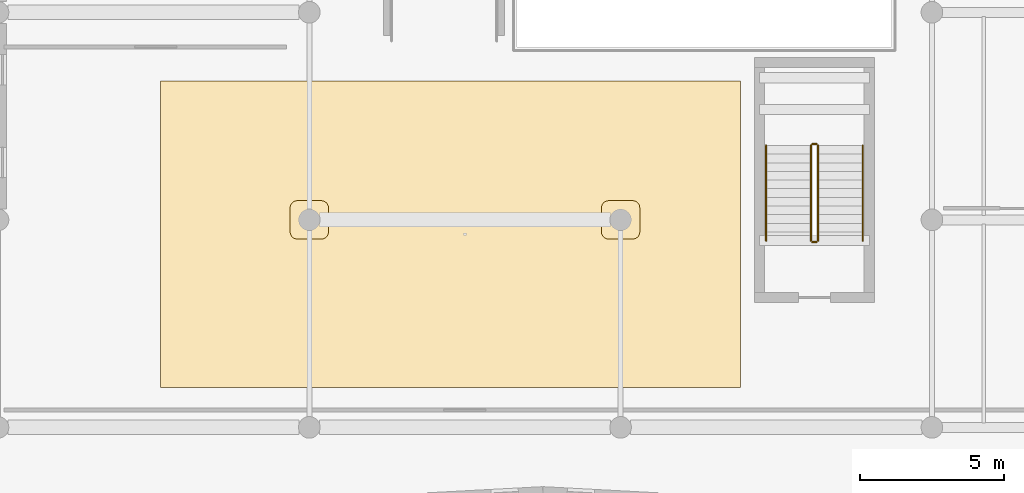
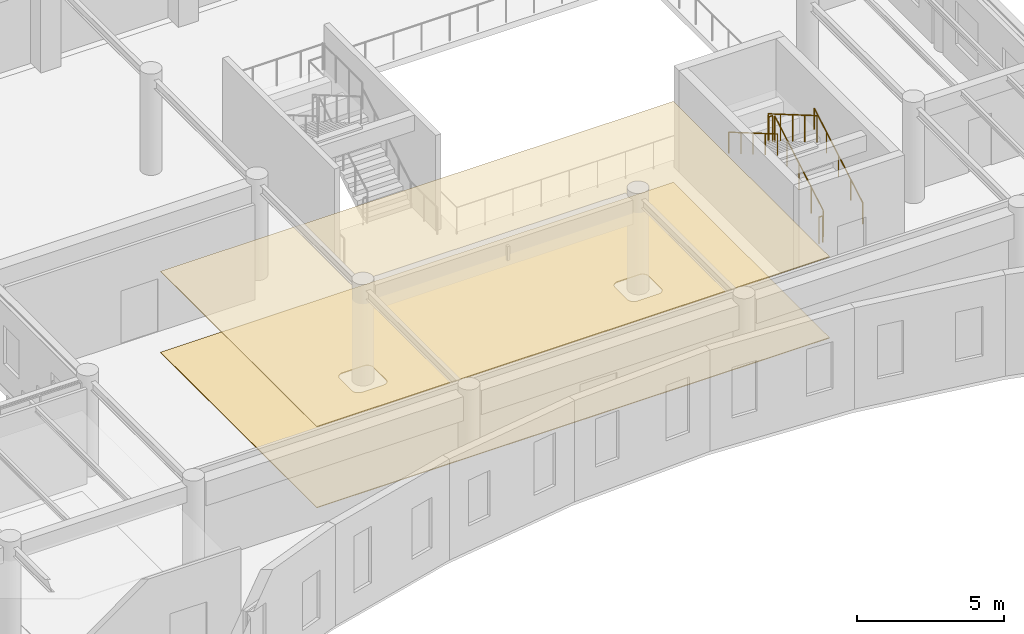
# One storey, part 109 of 122: 6 railings, 2 coverings.
"""IFC4 building model written with IfcOpenShell, lengths in metres."""

from ifc_helpers import new_model, si_unit, direction, frame, origin, origin_2d, place, context, subcontext, project, spatial, polyline, circle, outline, extrude, material, layer, layer_set, material_profile, profile_set, type_object, element, save


model = new_model("IFC4")

# Units and contexts
model_context = context("Model", 3, precision=1e-05, world=origin(), true_north=direction((0.0, 1.0)))
body_context = subcontext(model_context, "Body", "Model", "MODEL_VIEW")
ifc_project = project(units=[si_unit("LENGTHUNIT", "METRE"), si_unit("AREAUNIT", "SQUARE_METRE"), si_unit("VOLUMEUNIT", "CUBIC_METRE"), si_unit("PLANEANGLEUNIT", "RADIAN"), si_unit("MASSUNIT", "GRAM", prefix="KILO")], contexts=[model_context])

# Site, building, storey
site_placement = place(None, origin())
site = spatial("IfcSite", under=ifc_project, at=site_placement, CompositionType="ELEMENT")
building_placement = place(site_placement, origin())
building = spatial("IfcBuilding", under=site, at=building_placement, Name="Tazoul Stagehouse", CompositionType="ELEMENT")
storey_placement = place(building_placement, frame((0.0, 0.0, 4.800048828125)))
storey = spatial("IfcBuildingStorey", under=building, at=storey_placement, Name="L01", CompositionType="ELEMENT", Elevation=4.800048828125)

# Railings
ifc_material_1 = material(Name="Brushed Stainless Steel 316L", Category="steel")
ifc_material_profile_1 = material_profile(ifc_material_1, circle(Radius=0.02392578125, at=origin_2d()), Name="SS RAIL D48")
ifc_profile_set_1 = profile_set([ifc_material_profile_1], Name="Brushed Stainless Steel 316L")
railing_type_1 = type_object("IfcRailingType", Name="Architectural Guardrail H1120", PredefinedType="GUARDRAIL", material=ifc_profile_set_1)
railing_1_placement = place(storey_placement, frame((86.050048828125, 29.47998046875, 0.175048828125)))
element("IfcRailing", 1, at=railing_1_placement, inside=storey, type_object=railing_type_1, Name="L01 ST-08 stair guard 1", PredefinedType="GUARDRAIL", context=body_context, shape_type="SweptSolid", body=[
    extrude(circle(Radius=0.02392578125, at=origin_2d()), frame((0.0, 0.0, 1.09619140625), z_axis=(0.0, 0.863804395585, 0.503827317807), x_axis=(-1.0, 0.0, 0.0)), (0.0, 0.0, 1.0), 3.8203125),
    extrude(circle(Radius=0.02099609375, at=origin_2d()), origin(), (0.0, 0.0, 1.0), 1.072021484375),
    extrude(circle(Radius=0.02099609375, at=origin_2d()), frame((0.0, 0.824951171875, 0.481201171875)), (0.0, 0.0, 1.0), 1.072021484375),
    extrude(circle(Radius=0.02099609375, at=origin_2d()), frame((0.0, 1.64990234375, 0.96240234375)), (0.0, 0.0, 1.0), 1.072021484375),
    extrude(circle(Radius=0.02099609375, at=origin_2d()), frame((0.0, 2.47509765625, 1.443603515625)), (0.0, 0.0, 1.0), 1.072021484375),
    extrude(circle(Radius=0.02099609375, at=origin_2d()), frame((0.0, 3.300048828125, 1.9248046875)), (0.0, 0.0, 1.0), 1.072021484375),
])
railing_2_placement = place(storey_placement, frame((86.0, 32.830078125, 2.099853515625)))
element("IfcRailing", 2, at=railing_2_placement, inside=storey, type_object=railing_type_1, Name="L01 ST-08 stair guard 2", PredefinedType="GUARDRAIL", context=body_context, shape_type="SweptSolid", body=[
    extrude(circle(Radius=0.02392578125, at=origin_2d()), frame((0.0, 0.0, 1.09619140625), z_axis=(-1.0, 0.0, 0.0), x_axis=(0.0, -1.0, 0.0)), (0.0, 0.0, 1.0), 0.14990234375),
    extrude(circle(Radius=0.02099609375, at=origin_2d()), origin(), (0.0, 0.0, 1.0), 1.072021484375),
    extrude(circle(Radius=0.02099609375, at=origin_2d()), frame((-0.14990234375, 0.0, 0.0)), (0.0, 0.0, 1.0), 1.072021484375),
])
railing_3_placement = place(storey_placement, frame((85.800048828125, 32.780029296875, 2.27490234375)))
element("IfcRailing", 3, at=railing_3_placement, inside=storey, type_object=railing_type_1, Name="L01 ST-08 stair guard 3", PredefinedType="GUARDRAIL", context=body_context, shape_type="SweptSolid", body=[
    extrude(circle(Radius=0.02392578125, at=origin_2d()), frame((0.0, 0.0, 1.09619140625), z_axis=(0.0, -0.863776583165, 0.503874998761), x_axis=(1.0, 0.0, 0.0)), (0.0, 0.0, 1.0), 3.820556640625),
    extrude(circle(Radius=0.02099609375, at=origin_2d()), origin(), (0.0, 0.0, 1.0), 1.072021484375),
    extrude(circle(Radius=0.02099609375, at=origin_2d()), frame((0.0, -0.824951171875, 0.481201171875)), (0.0, 0.0, 1.0), 1.072021484375),
    extrude(circle(Radius=0.02099609375, at=origin_2d()), frame((0.0, -1.64990234375, 0.96240234375)), (0.0, 0.0, 1.0), 1.072021484375),
    extrude(circle(Radius=0.02099609375, at=origin_2d()), frame((0.0, -2.47509765625, 1.44384765625)), (0.0, 0.0, 1.0), 1.072021484375),
    extrude(circle(Radius=0.02099609375, at=origin_2d()), frame((0.0, -3.300048828125, 1.925048828125)), (0.0, 0.0, 1.0), 1.072021484375),
])
railing_4_placement = place(storey_placement, frame((86.0, 29.429931640625, 0.0)))
element("IfcRailing", 4, at=railing_4_placement, inside=storey, type_object=railing_type_1, Name="L01 ST-08 stair guard 4", PredefinedType="GUARDRAIL", context=body_context, shape_type="SweptSolid", body=[
    extrude(circle(Radius=0.02392578125, at=origin_2d()), frame((0.0, 0.0, 1.09619140625), z_axis=(-1.0, 0.0, 0.0), x_axis=(0.0, -1.0, 0.0)), (0.0, 0.0, 1.0), 0.14990234375),
    extrude(circle(Radius=0.02099609375, at=origin_2d()), origin(), (0.0, 0.0, 1.0), 1.072021484375),
    extrude(circle(Radius=0.02099609375, at=origin_2d()), frame((-0.14990234375, 0.0, 0.0)), (0.0, 0.0, 1.0), 1.072021484375),
])
ifc_material_profile_2 = material_profile(ifc_material_1, circle(Radius=0.02099609375, at=origin_2d()), Name="SS HANDRAIL D42")
ifc_profile_set_2 = profile_set([ifc_material_profile_2], Name="Brushed Stainless Steel 316L")
railing_type_2 = type_object("IfcRailingType", Name="Continuous Stair Handrail H900", PredefinedType="HANDRAIL", material=ifc_profile_set_2)
railing_5_placement = place(storey_placement, frame((87.60009765625, 29.47998046875, 0.175048828125)))
element("IfcRailing", 5, at=railing_5_placement, inside=storey, type_object=railing_type_2, Name="L01 ST-08 stair handrail 1", PredefinedType="HANDRAIL", context=body_context, shape_type="SweptSolid", body=[
    extrude(circle(Radius=0.02392578125, at=origin_2d()), frame((0.0, 0.0, 0.8759765625), z_axis=(0.0, 0.863804395585, 0.503827317807), x_axis=(-1.0, 0.0, 0.0)), (0.0, 0.0, 1.0), 3.8203125),
    extrude(circle(Radius=0.02099609375, at=origin_2d()), origin(), (0.0, 0.0, 1.0), 0.851806640625),
    extrude(circle(Radius=0.02099609375, at=origin_2d()), frame((0.0, 0.824951171875, 0.481201171875)), (0.0, 0.0, 1.0), 0.851806640625),
    extrude(circle(Radius=0.02099609375, at=origin_2d()), frame((0.0, 1.64990234375, 0.96240234375)), (0.0, 0.0, 1.0), 0.851806640625),
    extrude(circle(Radius=0.02099609375, at=origin_2d()), frame((0.0, 2.47509765625, 1.443603515625)), (0.0, 0.0, 1.0), 0.851806640625),
    extrude(circle(Radius=0.02099609375, at=origin_2d()), frame((0.0, 3.300048828125, 1.9248046875)), (0.0, 0.0, 1.0), 0.851806640625),
])
railing_6_placement = place(storey_placement, frame((84.25, 32.780029296875, 2.27490234375)))
element("IfcRailing", 6, at=railing_6_placement, inside=storey, type_object=railing_type_2, Name="L01 ST-08 stair handrail 2", PredefinedType="HANDRAIL", context=body_context, shape_type="SweptSolid", body=[
    extrude(circle(Radius=0.02392578125, at=origin_2d()), frame((0.0, 0.0, 0.8759765625), z_axis=(0.0, -0.863776583165, 0.503874998761), x_axis=(1.0, 0.0, 0.0)), (0.0, 0.0, 1.0), 3.820556640625),
    extrude(circle(Radius=0.02099609375, at=origin_2d()), origin(), (0.0, 0.0, 1.0), 0.851806640625),
    extrude(circle(Radius=0.02099609375, at=origin_2d()), frame((0.0, -0.824951171875, 0.481201171875)), (0.0, 0.0, 1.0), 0.851806640625),
    extrude(circle(Radius=0.02099609375, at=origin_2d()), frame((0.0, -1.64990234375, 0.96240234375)), (0.0, 0.0, 1.0), 0.851806640625),
    extrude(circle(Radius=0.02099609375, at=origin_2d()), frame((0.0, -2.47509765625, 1.44384765625)), (0.0, 0.0, 1.0), 0.851806640625),
    extrude(circle(Radius=0.02099609375, at=origin_2d()), frame((0.0, -3.300048828125, 1.925048828125)), (0.0, 0.0, 1.0), 0.851806640625),
])

# Coverings
ifc_material_2 = material(Name="Gypsum Acoustic Partition", Category="gypsum")
ifc_layer_1 = layer(ifc_material_2, 0.034912109375, Name="Gypsum Acoustic Partition")
ifc_layer_set_1 = layer_set([ifc_layer_1], Name="Gypsum Acoustic Partition")
covering_type_1 = type_object("IfcCoveringType", Name="Gypsum Acoustic Foyer Suspended Ceiling 35", PredefinedType="CEILING", material=ifc_layer_set_1)
covering_1_placement = place(storey_placement, frame((0.0, 0.0, 3.35498046875)))
element("IfcCovering", 7, at=covering_1_placement, inside=storey, type_object=covering_type_1, Name="L01 L01 Dress Circle Foyer Circulation Suspended Ceiling", PredefinedType="CEILING", context=body_context, shape_type="SweptSolid", body=[
    extrude(outline(polyline([(83.360107421875, 35.010009765625), (83.360107421875, 24.389892578125), (63.239990234375, 24.389892578125), (63.239990234375, 35.010009765625), (83.360107421875, 35.010009765625)])), origin(), (0.0, 0.0, 1.0), 0.034912109375),
])
ifc_material_3 = material(Name="Honed Rabat Calcarenite Stone", Category="masonry")
ifc_layer_2 = layer(ifc_material_3, 0.030029296875, Name="Honed Rabat Calcarenite Stone")
ifc_layer_set_2 = layer_set([ifc_layer_2], Name="Honed Rabat Calcarenite Stone")
covering_type_2 = type_object("IfcCoveringType", Name="Honed Rabat Limestone Foyer Flooring 30", PredefinedType="FLOORING", material=ifc_layer_set_2)
covering_2_placement = place(storey_placement, origin())
element("IfcCovering", 8, at=covering_2_placement, inside=storey, type_object=covering_type_2, Name="L01 L01 Dress Circle Foyer Circulation Flooring", PredefinedType="FLOORING", context=body_context, shape_type="SweptSolid", body=[
    extrude(outline(polyline([(83.360107421875, 35.010009765625), (83.360107421875, 24.389892578125), (63.239990234375, 24.389892578125), (63.239990234375, 35.010009765625), (83.360107421875, 35.010009765625)]), holes=[polyline([(79.86376953125, 30.639404296875), (79.860107421875, 30.663818359375), (79.854248046875, 30.6875), (79.845947265625, 30.710693359375), (79.83544921875, 30.73291015625), (79.822998046875, 30.75390625), (79.808349609375, 30.773681640625), (79.791748046875, 30.791748046875), (79.773681640625, 30.808349609375), (79.75390625, 30.822998046875), (79.73291015625, 30.83544921875), (79.710693359375, 30.845947265625), (79.6875, 30.854248046875), (79.663818359375, 30.860107421875), (79.639404296875, 30.86376953125), (79.614990234375, 30.864990234375), (78.784912109375, 30.864990234375), (78.760498046875, 30.86376953125), (78.736083984375, 30.860107421875), (78.71240234375, 30.854248046875), (78.689208984375, 30.845947265625), (78.667236328125, 30.83544921875), (78.64599609375, 30.822998046875), (78.62646484375, 30.808349609375), (78.608154296875, 30.791748046875), (78.591796875, 30.773681640625), (78.5771484375, 30.75390625), (78.564453125, 30.73291015625), (78.553955078125, 30.710693359375), (78.5458984375, 30.6875), (78.539794921875, 30.663818359375), (78.5361328125, 30.639404296875), (78.534912109375, 30.614990234375), (78.534912109375, 29.784912109375), (78.5361328125, 29.760498046875), (78.539794921875, 29.736083984375), (78.5458984375, 29.71240234375), (78.553955078125, 29.689208984375), (78.564453125, 29.667236328125), (78.5771484375, 29.64599609375), (78.591796875, 29.62646484375), (78.608154296875, 29.608154296875), (78.62646484375, 29.591796875), (78.64599609375, 29.5771484375), (78.667236328125, 29.564453125), (78.689208984375, 29.553955078125), (78.71240234375, 29.5458984375), (78.736083984375, 29.539794921875), (78.760498046875, 29.5361328125), (78.784912109375, 29.534912109375), (79.614990234375, 29.534912109375), (79.639404296875, 29.5361328125), (79.663818359375, 29.539794921875), (79.6875, 29.5458984375), (79.710693359375, 29.553955078125), (79.73291015625, 29.564453125), (79.75390625, 29.5771484375), (79.773681640625, 29.591796875), (79.791748046875, 29.608154296875), (79.808349609375, 29.62646484375), (79.822998046875, 29.64599609375), (79.83544921875, 29.667236328125), (79.845947265625, 29.689208984375), (79.854248046875, 29.71240234375), (79.860107421875, 29.736083984375), (79.86376953125, 29.760498046875), (79.864990234375, 29.784912109375), (79.864990234375, 30.614990234375), (79.86376953125, 30.639404296875)]), polyline([(67.96044921875, 30.86376953125), (67.936279296875, 30.860107421875), (67.912353515625, 30.854248046875), (67.889404296875, 30.845947265625), (67.8671875, 30.83544921875), (67.84619140625, 30.822998046875), (67.826416015625, 30.808349609375), (67.80810546875, 30.791748046875), (67.791748046875, 30.773681640625), (67.777099609375, 30.75390625), (67.764404296875, 30.73291015625), (67.75390625, 30.710693359375), (67.745849609375, 30.6875), (67.73974609375, 30.663818359375), (67.736083984375, 30.639404296875), (67.735107421875, 30.614990234375), (67.735107421875, 29.784912109375), (67.736083984375, 29.760498046875), (67.73974609375, 29.736083984375), (67.745849609375, 29.71240234375), (67.75390625, 29.689208984375), (67.764404296875, 29.667236328125), (67.777099609375, 29.64599609375), (67.791748046875, 29.62646484375), (67.80810546875, 29.608154296875), (67.826416015625, 29.591796875), (67.84619140625, 29.5771484375), (67.8671875, 29.564453125), (67.889404296875, 29.553955078125), (67.912353515625, 29.5458984375), (67.936279296875, 29.539794921875), (67.96044921875, 29.5361328125), (67.985107421875, 29.534912109375), (68.81494140625, 29.534912109375), (68.839599609375, 29.5361328125), (68.86376953125, 29.539794921875), (68.8876953125, 29.5458984375), (68.91064453125, 29.553955078125), (68.932861328125, 29.564453125), (68.953857421875, 29.5771484375), (68.9736328125, 29.591796875), (68.99169921875, 29.608154296875), (69.00830078125, 29.62646484375), (69.02294921875, 29.64599609375), (69.035400390625, 29.667236328125), (69.0458984375, 29.689208984375), (69.05419921875, 29.71240234375), (69.060302734375, 29.736083984375), (69.063720703125, 29.760498046875), (69.06494140625, 29.784912109375), (69.06494140625, 30.614990234375), (69.063720703125, 30.639404296875), (69.060302734375, 30.663818359375), (69.05419921875, 30.6875), (69.0458984375, 30.710693359375), (69.035400390625, 30.73291015625), (69.02294921875, 30.75390625), (69.00830078125, 30.773681640625), (68.99169921875, 30.791748046875), (68.9736328125, 30.808349609375), (68.953857421875, 30.822998046875), (68.932861328125, 30.83544921875), (68.91064453125, 30.845947265625), (68.8876953125, 30.854248046875), (68.86376953125, 30.860107421875), (68.839599609375, 30.86376953125), (68.81494140625, 30.864990234375), (67.985107421875, 30.864990234375), (67.96044921875, 30.86376953125)])]), origin(), (0.0, 0.0, 1.0), 0.030029296875),
])

save(model, "model.ifc")
